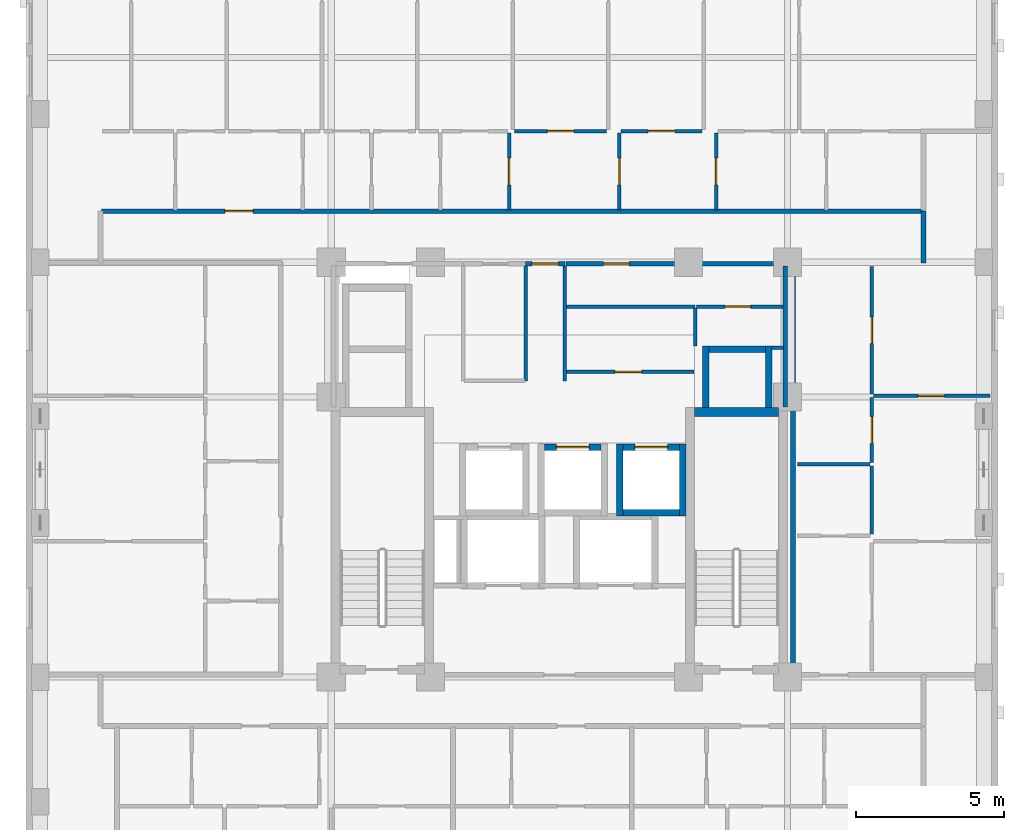
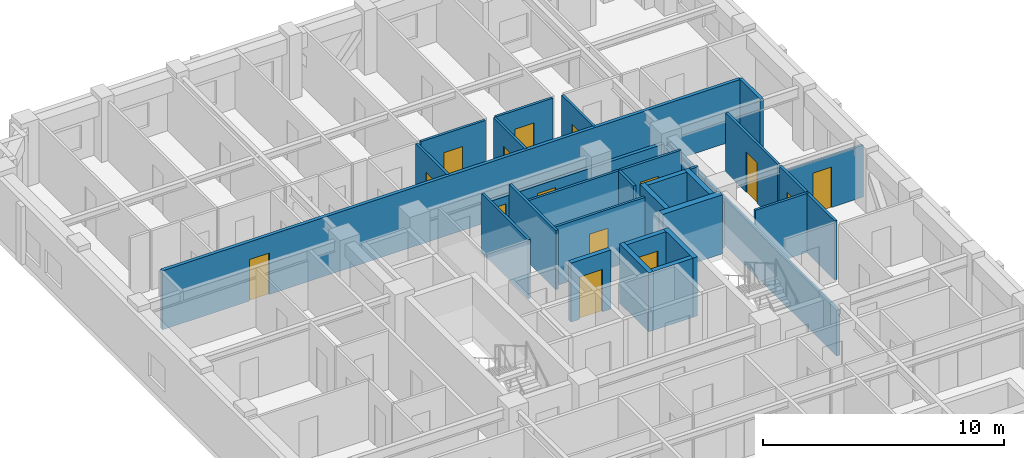
# One storey, part 6 of 11: 32 walls, 15 doors, 15 openings.
"""IFC4 building model written with IfcOpenShell, lengths in metres."""

from ifc_helpers import new_model, si_unit, derived_unit, direction, frame, frame_2d, origin, place, context, subcontext, project, spatial, rectangle, extrude, material, layer, layer_set, type_object, element, fill, save


model = new_model("IFC4")

# Units and contexts
model_context = context("Model", 3, precision=1e-05, world=origin(), true_north=direction((0.0, 1.0)))
body_context = subcontext(model_context, "Body", "Model", "MODEL_VIEW")
ifc_project = project(units=[si_unit("LENGTHUNIT", "METRE"), si_unit("AREAUNIT", "SQUARE_METRE"), si_unit("VOLUMEUNIT", "CUBIC_METRE"), si_unit("PLANEANGLEUNIT", "RADIAN"), si_unit("MASSUNIT", "GRAM", prefix="KILO"), derived_unit("THERMALTRANSMITTANCEUNIT", [(si_unit("MASSUNIT", "GRAM", prefix="KILO"), 1), (si_unit("TIMEUNIT", "SECOND"), -3), (si_unit("THERMODYNAMICTEMPERATUREUNIT", "KELVIN"), -1)])], contexts=[model_context])

# Site, building, storey
site_placement = place(None, origin())
site = spatial("IfcSite", under=ifc_project, at=site_placement, CompositionType="ELEMENT")
building_placement = place(site_placement, origin())
building = spatial("IfcBuilding", under=site, at=building_placement, Name="Korrvale Station Residences", CompositionType="ELEMENT")
storey_placement = place(building_placement, frame((0.0, 0.0, 156.89990234375)))
storey = spatial("IfcBuildingStorey", under=building, at=storey_placement, Name="L45", CompositionType="ELEMENT", Elevation=156.89990234375)

# Walls
ifc_material_1 = material(Name="Concrete C60/75", Category="concrete")
ifc_layer_1 = layer(ifc_material_1, 0.300048828125, Name="Concrete C60/75")
ifc_layer_set_1 = layer_set([ifc_layer_1], Name="Concrete C60/75")
wall_type_1 = type_object("IfcWallType", Name="WAL-CORE-300-C60", PredefinedType="SHEAR", material=ifc_layer_set_1)
wall_1_placement = place(storey_placement, frame((30.050048828125, 23.949951171875, 0.0), z_axis=(0.0, 0.0, 1.0), x_axis=(1.0, 0.0, 0.0)))
element("IfcWall", 1, at=wall_1_placement, inside=storey, type_object=wall_type_1, Name="L45 ST-2 Core Shear Wall North", PredefinedType="SHEAR", context=body_context, shape_type="SweptSolid", body=[
    extrude(rectangle(XDim=2.849853515625, YDim=0.300048828125, at=frame_2d((1.4248046875, 0.0))), origin(), (0.0, 0.0, 1.0), 2.989990234375),
])
ifc_material_2 = material(Name="Acoustic steel-stud gypsum board partition", Category="steel")
ifc_layer_2 = layer(ifc_material_2, 0.1201171875, Name="Acoustic steel-stud gypsum board partition")
ifc_layer_set_2 = layer_set([ifc_layer_2], Name="Acoustic steel-stud gypsum board partition")
wall_type_2 = type_object("IfcWallType", Name="WAL-PART-125", PredefinedType="PARTITIONING", material=ifc_layer_set_2)
for number, where, z_axis, x_axis, name in (
    (2, (24.360107421875, 25.0, 0.0), (0.0, 0.0, 1.0), (0.0, 1.0, 0.0), "L45 Core Partition CW-PSG-W"),
    (3, (25.679931640625, 25.0, 0.0), (0.0, 0.0, 1.0), (0.0, 1.0, 0.0), "L45 Core Partition CW-PSG-E"),
):
    element("IfcWall", number, at=place(storey_placement, frame(where, z_axis=z_axis, x_axis=x_axis)), inside=storey, type_object=wall_type_2, Name=name, PredefinedType="PARTITIONING", context=body_context, shape_type="SweptSolid", body=[
        extrude(rectangle(XDim=3.8701171875, YDim=0.1201171875, at=frame_2d((1.93505859375, 0.0))), origin(), (0.0, 0.0, 1.0), 2.989990234375),
    ])
wall_2_placement = place(storey_placement, frame((30.080078125, 26.179931640625, 0.0), z_axis=(0.0, 0.0, 1.0), x_axis=(0.0, 1.0, 0.0)))
element("IfcWall", 4, at=wall_2_placement, inside=storey, type_object=wall_type_2, Name="L45 Core Partition CW-CS-W", PredefinedType="PARTITIONING", context=body_context, shape_type="SweptSolid", body=[
    extrude(rectangle(XDim=1.280029296875, YDim=0.1201171875, at=frame_2d((0.64013671875, 0.0))), origin(), (0.0, 0.0, 1.0), 2.989990234375),
])
wall_3_placement = place(storey_placement, frame((32.679931640625, 26.1201171875, 0.0), z_axis=(0.0, 0.0, 1.0), x_axis=(1.0, 0.0, 0.0)))
element("IfcWall", 5, at=wall_3_placement, inside=storey, type_object=wall_type_2, Name="L45 Core Partition CW-CS-S", PredefinedType="PARTITIONING", context=body_context, shape_type="SweptSolid", body=[
    extrude(rectangle(XDim=0.380126953125, YDim=0.1201171875, at=frame_2d((0.18994140625, 0.0))), origin(), (0.0, 0.0, 1.0), 2.989990234375),
])

# Wall, opening, door
wall_4_placement = place(storey_placement, frame((30.1201171875, 27.5, 0.0), z_axis=(0.0, 0.0, 1.0), x_axis=(1.0, 0.0, 0.0)))
wall_4 = element("IfcWall", 6, at=wall_4_placement, inside=storey, type_object=wall_type_2, Name="L45 Core Partition CW-CS-H", PredefinedType="PARTITIONING", context=body_context, shape_type="SweptSolid", body=[
    extrude(rectangle(XDim=2.919921875, YDim=0.1201171875, at=frame_2d((1.4599609375, 0.0))), origin(), (0.0, 0.0, 1.0), 2.989990234375),
])
opening_1_placement = place(wall_4_placement, frame((0.969970703125, 0.0, 0.0)))
opening_1 = element("IfcOpeningElement", 7, at=opening_1_placement, cuts=wall_4, Name="Opening DB-860", PredefinedType="OPENING", context=body_context, shape_type="SweptSolid", body=[
    extrude(rectangle(XDim=0.860107421875, YDim=2.050048828125, at=frame_2d((0.43017578125, 1.02490234375))), frame((0.0, 0.070068359375, 0.0), z_axis=(0.0, -1.0, 0.0), x_axis=(1.0, 0.0, 0.0)), (0.0, 0.0, 1.0), 0.14013671875),
])
ifc_material_3 = material(Name="Moisture-resistant solid-core bathroom door", Category="timber")
door_type_1 = type_object("IfcDoorType", Name="DR-BATH-860", OperationType="NOTDEFINED", PredefinedType="DOOR", material=ifc_material_3)
door_1_placement = place(opening_1_placement, origin())
door_1 = element("IfcDoor", 8, at=door_1_placement, inside=storey, type_object=door_type_1, Name="L45 Mail Sorting Inner Door", OperationType="SINGLE_SWING_LEFT", OverallHeight=2.050048828125, OverallWidth=0.860107421875, PredefinedType="DOOR", context=body_context, shape_type="SweptSolid", body=[
    extrude(rectangle(XDim=0.860107421875, YDim=2.050048828125, at=frame_2d((0.43017578125, 1.02490234375))), frame((0.0, 0.02490234375, 0.0), z_axis=(0.0, -1.0, 0.0), x_axis=(1.0, 0.0, 0.0)), (0.0, 0.0, 1.0), 0.050048828125),
])
fill(opening_1, door_1)

# Wall
wall_5_placement = place(storey_placement, frame((25.719970703125, 27.5, 0.0), z_axis=(0.0, 0.0, 1.0), x_axis=(1.0, 0.0, 0.0)))
element("IfcWall", 9, at=wall_5_placement, inside=storey, type_object=wall_type_2, Name="L45 Core Partition CW-FPLE-H", PredefinedType="PARTITIONING", context=body_context, shape_type="SweptSolid", body=[
    extrude(rectangle(XDim=4.360107421875, YDim=0.1201171875, at=frame_2d((2.18017578125, 0.0))), origin(), (0.0, 0.0, 1.0), 2.989990234375),
])

# Wall, opening, door
wall_6_placement = place(storey_placement, frame((25.719970703125, 25.300048828125, 0.0), z_axis=(0.0, 0.0, 1.0), x_axis=(1.0, 0.0, 0.0)))
wall_6 = element("IfcWall", 10, at=wall_6_placement, inside=storey, type_object=wall_type_2, Name="L45 Core Partition CW-FPLE-S", PredefinedType="PARTITIONING", context=body_context, shape_type="SweptSolid", body=[
    extrude(rectangle(XDim=4.320068359375, YDim=0.1201171875, at=frame_2d((2.16015625, 0.0))), origin(), (0.0, 0.0, 1.0), 2.989990234375),
])
opening_2_placement = place(wall_6_placement, frame((1.64990234375, 0.0, 0.0)))
opening_2 = element("IfcOpeningElement", 11, at=opening_2_placement, cuts=wall_6, Name="Opening DI-900", PredefinedType="OPENING", context=body_context, shape_type="SweptSolid", body=[
    extrude(rectangle(XDim=0.89990234375, YDim=2.050048828125, at=frame_2d((0.449951171875, 1.02490234375))), frame((0.0, 0.070068359375, 0.0), z_axis=(0.0, -1.0, 0.0), x_axis=(1.0, 0.0, 0.0)), (0.0, 0.0, 1.0), 0.14013671875),
])
ifc_material_4 = material(Name="Painted solid-core timber interior room door", Category="wood")
door_type_2 = type_object("IfcDoorType", Name="DR-INT-900", OperationType="NOTDEFINED", PredefinedType="DOOR", material=ifc_material_4)
door_2_placement = place(opening_2_placement, origin())
door_2 = element("IfcDoor", 12, at=door_2_placement, inside=storey, type_object=door_type_2, Name="L45 Housekeeping Linen Door", OperationType="SINGLE_SWING_LEFT", OverallHeight=2.050048828125, OverallWidth=0.89990234375, PredefinedType="DOOR", context=body_context, shape_type="SweptSolid", body=[
    extrude(rectangle(XDim=0.89990234375, YDim=2.050048828125, at=frame_2d((0.449951171875, 1.02490234375))), frame((0.0, 0.02490234375, 0.0), z_axis=(0.0, -1.0, 0.0), x_axis=(1.0, 0.0, 0.0)), (0.0, 0.0, 1.0), 0.050048828125),
])
fill(opening_2, door_2)

wall_7_placement = place(storey_placement, frame((23.800048828125, 30.760009765625, 0.0), z_axis=(0.0, 0.0, 1.0), x_axis=(0.0, 1.0, 0.0)))
wall_7 = element("IfcWall", 13, at=wall_7_placement, inside=storey, type_object=wall_type_2, Name="L45 Suite Partition U04-V45", PredefinedType="PARTITIONING", context=body_context, shape_type="SweptSolid", body=[
    extrude(rectangle(XDim=2.60009765625, YDim=0.1201171875, at=frame_2d((1.300048828125, 0.0))), origin(), (0.0, 0.0, 1.0), 2.989990234375),
])
opening_3_placement = place(wall_7_placement, frame((0.85009765625, 0.0, 0.0)))
opening_3 = element("IfcOpeningElement", 14, at=opening_3_placement, cuts=wall_7, Name="Opening DI-900", PredefinedType="OPENING", context=body_context, shape_type="SweptSolid", body=[
    extrude(rectangle(XDim=0.89990234375, YDim=2.050048828125, at=frame_2d((0.449951171875, 1.02490234375))), frame((0.0, 0.070068359375, 0.0), z_axis=(0.0, -1.0, 0.0), x_axis=(1.0, 0.0, 0.0)), (0.0, 0.0, 1.0), 0.14013671875),
])
door_3_placement = place(opening_3_placement, origin())
door_3 = element("IfcDoor", 15, at=door_3_placement, inside=storey, type_object=door_type_2, Name="L45 Studio Apartment L45-U04 Wardrobe Storage Room Door", OperationType="SINGLE_SWING_RIGHT", OverallHeight=2.050048828125, OverallWidth=0.89990234375, PredefinedType="DOOR", context=body_context, shape_type="SweptSolid", body=[
    extrude(rectangle(XDim=0.89990234375, YDim=2.050048828125, at=frame_2d((0.449951171875, 1.02490234375))), frame((0.0, 0.02490234375, 0.0), z_axis=(0.0, -1.0, 0.0), x_axis=(1.0, 0.0, 0.0)), (0.0, 0.0, 1.0), 0.050048828125),
])
fill(opening_3, door_3)

wall_8_placement = place(storey_placement, frame((27.52001953125, 30.760009765625, 0.0), z_axis=(0.0, 0.0, 1.0), x_axis=(0.0, 1.0, 0.0)))
wall_8 = element("IfcWall", 16, at=wall_8_placement, inside=storey, type_object=wall_type_2, Name="L45 Suite Partition U04-V56", PredefinedType="PARTITIONING", context=body_context, shape_type="SweptSolid", body=[
    extrude(rectangle(XDim=2.60009765625, YDim=0.1201171875, at=frame_2d((1.300048828125, 0.0))), origin(), (0.0, 0.0, 1.0), 2.989990234375),
])
opening_4_placement = place(wall_8_placement, frame((0.85009765625, 0.0, 0.0)))
opening_4 = element("IfcOpeningElement", 17, at=opening_4_placement, cuts=wall_8, Name="Opening DI-900", PredefinedType="OPENING", context=body_context, shape_type="SweptSolid", body=[
    extrude(rectangle(XDim=0.89990234375, YDim=2.050048828125, at=frame_2d((0.449951171875, 1.02490234375))), frame((0.0, 0.070068359375, 0.0), z_axis=(0.0, -1.0, 0.0), x_axis=(1.0, 0.0, 0.0)), (0.0, 0.0, 1.0), 0.14013671875),
])
door_4_placement = place(opening_4_placement, origin())
door_4 = element("IfcDoor", 18, at=door_4_placement, inside=storey, type_object=door_type_2, Name="L45 Studio Apartment L45-U04 Utility and Laundry Room Door", OperationType="SINGLE_SWING_RIGHT", OverallHeight=2.050048828125, OverallWidth=0.89990234375, PredefinedType="DOOR", context=body_context, shape_type="SweptSolid", body=[
    extrude(rectangle(XDim=0.89990234375, YDim=2.050048828125, at=frame_2d((0.449951171875, 1.02490234375))), frame((0.0, 0.02490234375, 0.0), z_axis=(0.0, -1.0, 0.0), x_axis=(1.0, 0.0, 0.0)), (0.0, 0.0, 1.0), 0.050048828125),
])
fill(opening_4, door_4)

wall_9_placement = place(storey_placement, frame((23.989990234375, 33.419921875, 0.0), z_axis=(0.0, 0.0, 1.0), x_axis=(1.0, 0.0, 0.0)))
wall_9 = element("IfcWall", 19, at=wall_9_placement, inside=storey, type_object=wall_type_2, Name="L45 Suite Partition U04-H514", PredefinedType="PARTITIONING", context=body_context, shape_type="SweptSolid", body=[
    extrude(rectangle(XDim=3.10009765625, YDim=0.1201171875, at=frame_2d((1.550048828125, 0.0))), origin(), (0.0, 0.0, 1.0), 2.989990234375),
])
opening_5_placement = place(wall_9_placement, frame((1.10009765625, 0.0, 0.0)))
opening_5 = element("IfcOpeningElement", 20, at=opening_5_placement, cuts=wall_9, Name="Opening DI-900", PredefinedType="OPENING", context=body_context, shape_type="SweptSolid", body=[
    extrude(rectangle(XDim=0.89990234375, YDim=2.050048828125, at=frame_2d((0.449951171875, 1.02490234375))), frame((0.0, 0.070068359375, 0.0), z_axis=(0.0, -1.0, 0.0), x_axis=(1.0, 0.0, 0.0)), (0.0, 0.0, 1.0), 0.14013671875),
])
door_5_placement = place(opening_5_placement, origin())
door_5 = element("IfcDoor", 21, at=door_5_placement, inside=storey, type_object=door_type_2, Name="L45 Studio Apartment L45-U04 Utility and Laundry Room Door", OperationType="SINGLE_SWING_LEFT", OverallHeight=2.050048828125, OverallWidth=0.89990234375, PredefinedType="DOOR", context=body_context, shape_type="SweptSolid", body=[
    extrude(rectangle(XDim=0.89990234375, YDim=2.050048828125, at=frame_2d((0.449951171875, 1.02490234375))), frame((0.0, 0.02490234375, 0.0), z_axis=(0.0, -1.0, 0.0), x_axis=(1.0, 0.0, 0.0)), (0.0, 0.0, 1.0), 0.050048828125),
])
fill(opening_5, door_5)

wall_10_placement = place(storey_placement, frame((30.7900390625, 30.760009765625, 0.0), z_axis=(0.0, 0.0, 1.0), x_axis=(0.0, 1.0, 0.0)))
wall_10 = element("IfcWall", 22, at=wall_10_placement, inside=storey, type_object=wall_type_2, Name="L45 Suite Partition U04-V67", PredefinedType="PARTITIONING", context=body_context, shape_type="SweptSolid", body=[
    extrude(rectangle(XDim=2.60009765625, YDim=0.1201171875, at=frame_2d((1.300048828125, 0.0))), origin(), (0.0, 0.0, 1.0), 2.989990234375),
])
opening_6_placement = place(wall_10_placement, frame((0.85009765625, 0.0, 0.0)))
opening_6 = element("IfcOpeningElement", 23, at=opening_6_placement, cuts=wall_10, Name="Opening DI-900", PredefinedType="OPENING", context=body_context, shape_type="SweptSolid", body=[
    extrude(rectangle(XDim=0.89990234375, YDim=2.050048828125, at=frame_2d((0.449951171875, 1.02490234375))), frame((0.0, 0.070068359375, 0.0), z_axis=(0.0, -1.0, 0.0), x_axis=(1.0, 0.0, 0.0)), (0.0, 0.0, 1.0), 0.14013671875),
])
door_6_placement = place(opening_6_placement, origin())
door_6 = element("IfcDoor", 24, at=door_6_placement, inside=storey, type_object=door_type_2, Name="L45 Studio Apartment L45-U04 Storage Closet 2 Door", OperationType="SINGLE_SWING_RIGHT", OverallHeight=2.050048828125, OverallWidth=0.89990234375, PredefinedType="DOOR", context=body_context, shape_type="SweptSolid", body=[
    extrude(rectangle(XDim=0.89990234375, YDim=2.050048828125, at=frame_2d((0.449951171875, 1.02490234375))), frame((0.0, 0.02490234375, 0.0), z_axis=(0.0, -1.0, 0.0), x_axis=(1.0, 0.0, 0.0)), (0.0, 0.0, 1.0), 0.050048828125),
])
fill(opening_6, door_6)

wall_11_placement = place(storey_placement, frame((27.580078125, 33.419921875, 0.0), z_axis=(0.0, 0.0, 1.0), x_axis=(1.0, 0.0, 0.0)))
wall_11 = element("IfcWall", 25, at=wall_11_placement, inside=storey, type_object=wall_type_2, Name="L45 Suite Partition U04-H615", PredefinedType="PARTITIONING", context=body_context, shape_type="SweptSolid", body=[
    extrude(rectangle(XDim=2.72998046875, YDim=0.1201171875, at=frame_2d((1.364990234375, 0.0))), origin(), (0.0, 0.0, 1.0), 2.989990234375),
])
opening_7_placement = place(wall_11_placement, frame((0.9150390625, 0.0, 0.0)))
opening_7 = element("IfcOpeningElement", 26, at=opening_7_placement, cuts=wall_11, Name="Opening DI-900", PredefinedType="OPENING", context=body_context, shape_type="SweptSolid", body=[
    extrude(rectangle(XDim=0.89990234375, YDim=2.050048828125, at=frame_2d((0.449951171875, 1.02490234375))), frame((0.0, 0.070068359375, 0.0), z_axis=(0.0, -1.0, 0.0), x_axis=(1.0, 0.0, 0.0)), (0.0, 0.0, 1.0), 0.14013671875),
])
door_7_placement = place(opening_7_placement, origin())
door_7 = element("IfcDoor", 27, at=door_7_placement, inside=storey, type_object=door_type_2, Name="L45 Studio Apartment L45-U04 Storage Closet 2 Door", OperationType="SINGLE_SWING_LEFT", OverallHeight=2.050048828125, OverallWidth=0.89990234375, PredefinedType="DOOR", context=body_context, shape_type="SweptSolid", body=[
    extrude(rectangle(XDim=0.89990234375, YDim=2.050048828125, at=frame_2d((0.449951171875, 1.02490234375))), frame((0.0, 0.02490234375, 0.0), z_axis=(0.0, -1.0, 0.0), x_axis=(1.0, 0.0, 0.0)), (0.0, 0.0, 1.0), 0.050048828125),
])
fill(opening_7, door_7)

# Wall
wall_12_placement = place(storey_placement, frame((33.530029296875, 22.18994140625, 0.0), z_axis=(0.0, 0.0, 1.0), x_axis=(1.0, 0.0, 0.0)))
element("IfcWall", 28, at=wall_12_placement, inside=storey, type_object=wall_type_2, Name="L45 Suite Partition U06-H01", PredefinedType="PARTITIONING", context=body_context, shape_type="SweptSolid", body=[
    extrude(rectangle(XDim=2.449951171875, YDim=0.1201171875, at=frame_2d((1.22509765625, 0.0))), origin(), (0.0, 0.0, 1.0), 2.989990234375),
])

# Wall, opening, door
wall_13_placement = place(storey_placement, frame((36.0400390625, 22.25, 0.0), z_axis=(0.0, 0.0, 1.0), x_axis=(0.0, 1.0, 0.0)))
wall_13 = element("IfcWall", 29, at=wall_13_placement, inside=storey, type_object=wall_type_2, Name="L45 Suite Partition U06-V04", PredefinedType="PARTITIONING", context=body_context, shape_type="SweptSolid", body=[
    extrude(rectangle(XDim=2.181884765625, YDim=0.1201171875, at=frame_2d((1.0908203125, 0.0))), origin(), (0.0, 0.0, 1.0), 2.989990234375),
])
opening_8_placement = place(wall_13_placement, frame((0.64111328125, 0.0, 0.0)))
opening_8 = element("IfcOpeningElement", 30, at=opening_8_placement, cuts=wall_13, Name="Opening DI-900", PredefinedType="OPENING", context=body_context, shape_type="SweptSolid", body=[
    extrude(rectangle(XDim=0.89990234375, YDim=2.050048828125, at=frame_2d((0.449951171875, 1.02490234375))), frame((0.0, 0.070068359375, 0.0), z_axis=(0.0, -1.0, 0.0), x_axis=(1.0, 0.0, 0.0)), (0.0, 0.0, 1.0), 0.14013671875),
])
door_8_placement = place(opening_8_placement, origin())
door_8 = element("IfcDoor", 31, at=door_8_placement, inside=storey, type_object=door_type_2, Name="L45 Apartment 2BR L45-U06 Wardrobe Storage Room Door", OperationType="SINGLE_SWING_RIGHT", OverallHeight=2.050048828125, OverallWidth=0.89990234375, PredefinedType="DOOR", context=body_context, shape_type="SweptSolid", body=[
    extrude(rectangle(XDim=0.89990234375, YDim=2.050048828125, at=frame_2d((0.449951171875, 1.02490234375))), frame((0.0, 0.02490234375, 0.0), z_axis=(0.0, -1.0, 0.0), x_axis=(1.0, 0.0, 0.0)), (0.0, 0.0, 1.0), 0.050048828125),
])
fill(opening_8, door_8)

wall_14_placement = place(storey_placement, frame((36.0400390625, 24.552001953125, 0.0), z_axis=(0.0, 0.0, 1.0), x_axis=(0.0, 1.0, 0.0)))
wall_14 = element("IfcWall", 32, at=wall_14_placement, inside=storey, type_object=wall_type_2, Name="L45 Suite Partition U06-V05", PredefinedType="PARTITIONING", context=body_context, shape_type="SweptSolid", body=[
    extrude(rectangle(XDim=4.30810546875, YDim=0.1201171875, at=frame_2d((2.154052734375, 0.0))), origin(), (0.0, 0.0, 1.0), 2.989990234375),
])
opening_9_placement = place(wall_14_placement, frame((1.7041015625, 0.0, 0.0)))
opening_9 = element("IfcOpeningElement", 33, at=opening_9_placement, cuts=wall_14, Name="Opening DI-900", PredefinedType="OPENING", context=body_context, shape_type="SweptSolid", body=[
    extrude(rectangle(XDim=0.89990234375, YDim=2.050048828125, at=frame_2d((0.449951171875, 1.02490234375))), frame((0.0, 0.070068359375, 0.0), z_axis=(0.0, -1.0, 0.0), x_axis=(1.0, 0.0, 0.0)), (0.0, 0.0, 1.0), 0.14013671875),
])
door_9_placement = place(opening_9_placement, origin())
door_9 = element("IfcDoor", 34, at=door_9_placement, inside=storey, type_object=door_type_2, Name="L45 Apartment 2BR L45-U06 Wardrobe Storage Room Door", OperationType="SINGLE_SWING_LEFT", OverallHeight=2.050048828125, OverallWidth=0.89990234375, PredefinedType="DOOR", context=body_context, shape_type="SweptSolid", body=[
    extrude(rectangle(XDim=0.89990234375, YDim=2.050048828125, at=frame_2d((0.449951171875, 1.02490234375))), frame((0.0, 0.02490234375, 0.0), z_axis=(0.0, -1.0, 0.0), x_axis=(1.0, 0.0, 0.0)), (0.0, 0.0, 1.0), 0.050048828125),
])
fill(opening_9, door_9)

# Wall
wall_15_placement = place(storey_placement, frame((36.0400390625, 19.830078125, 0.0), z_axis=(0.0, 0.0, 1.0), x_axis=(0.0, 1.0, 0.0)))
element("IfcWall", 35, at=wall_15_placement, inside=storey, type_object=wall_type_2, Name="L45 Suite Partition U06-V14", PredefinedType="PARTITIONING", context=body_context, shape_type="SweptSolid", body=[
    extrude(rectangle(XDim=2.2998046875, YDim=0.1201171875, at=frame_2d((1.14990234375, 0.0))), origin(), (0.0, 0.0, 1.0), 2.989990234375),
])

# Wall, opening, door
wall_16_placement = place(storey_placement, frame((36.10009765625, 24.491943359375, 0.0), z_axis=(0.0, 0.0, 1.0), x_axis=(1.0, 0.0, 0.0)))
wall_16 = element("IfcWall", 36, at=wall_16_placement, inside=storey, type_object=wall_type_2, Name="L45 Suite Partition U06-H45", PredefinedType="PARTITIONING", context=body_context, shape_type="SweptSolid", body=[
    extrude(rectangle(XDim=3.919921875, YDim=0.1201171875, at=frame_2d((1.9599609375, 0.0))), origin(), (0.0, 0.0, 1.0), 2.62109375),
])
opening_10_placement = place(wall_16_placement, frame((1.4951171875, 0.0, 0.0)))
opening_10 = element("IfcOpeningElement", 37, at=opening_10_placement, cuts=wall_16, Name="Opening DI-900", PredefinedType="OPENING", context=body_context, shape_type="SweptSolid", body=[
    extrude(rectangle(XDim=0.89990234375, YDim=2.050048828125, at=frame_2d((0.449951171875, 1.02490234375))), frame((0.0, 0.070068359375, 0.0), z_axis=(0.0, -1.0, 0.0), x_axis=(1.0, 0.0, 0.0)), (0.0, 0.0, 1.0), 0.14013671875),
])
door_10_placement = place(opening_10_placement, origin())
door_10 = element("IfcDoor", 38, at=door_10_placement, inside=storey, type_object=door_type_2, Name="L45 Apartment 2BR L45-U06 Living and Dining Room Door", OperationType="SINGLE_SWING_LEFT", OverallHeight=2.050048828125, OverallWidth=0.89990234375, PredefinedType="DOOR", context=body_context, shape_type="SweptSolid", body=[
    extrude(rectangle(XDim=0.89990234375, YDim=2.050048828125, at=frame_2d((0.449951171875, 1.02490234375))), frame((0.0, 0.02490234375, 0.0), z_axis=(0.0, -1.0, 0.0), x_axis=(1.0, 0.0, 0.0)), (0.0, 0.0, 1.0), 0.050048828125),
])
fill(opening_10, door_10)

# Wall
ifc_material_5 = material(Name="Fire-rated twin-stud gypsum and mineral wool shaftwall assembly", Category="gypsum")
ifc_layer_3 = layer(ifc_material_5, 0.159912109375, Name="Fire-rated twin-stud gypsum and mineral wool shaftwall assembly")
ifc_layer_set_3 = layer_set([ifc_layer_3], Name="Fire-rated twin-stud gypsum and mineral wool shaftwall assembly")
wall_type_3 = type_object("IfcWallType", Name="WAL-PART-200", PredefinedType="PARTITIONING", material=ifc_layer_set_3)
wall_17_placement = place(storey_placement, frame((33.1201171875, 24.1201171875, 0.0), z_axis=(0.0, 0.0, 1.0), x_axis=(0.0, 1.0, 0.0)))
element("IfcWall", 39, at=wall_17_placement, inside=storey, type_object=wall_type_3, Name="L45 Core Partition CW-E-N", PredefinedType="PARTITIONING", context=body_context, shape_type="SweptSolid", body=[
    extrude(rectangle(XDim=4.759765625, YDim=0.159912109375, at=frame_2d((2.3798828125, 0.0))), origin(), (0.0, 0.0, 1.0), 2.3251953125),
])

# Wall, opening, door
wall_18_placement = place(storey_placement, frame((24.360107421875, 28.949951171875, 0.0), z_axis=(0.0, 0.0, 1.0), x_axis=(1.0, 0.0, 0.0)))
wall_18 = element("IfcWall", 40, at=wall_18_placement, inside=storey, type_object=wall_type_3, Name="L45 Core Partition CW-LLOB-N", PredefinedType="PARTITIONING", context=body_context, shape_type="SweptSolid", body=[
    extrude(rectangle(XDim=1.31982421875, YDim=0.159912109375, at=frame_2d((0.659912109375, 0.0))), origin(), (0.0, 0.0, 1.0), 2.442138671875),
])
opening_11_placement = place(wall_18_placement, frame((0.2099609375, 0.0, 0.0)))
opening_11 = element("IfcOpeningElement", 41, at=opening_11_placement, cuts=wall_18, Name="Opening DI-900", PredefinedType="OPENING", context=body_context, shape_type="SweptSolid", body=[
    extrude(rectangle(XDim=0.89990234375, YDim=2.050048828125, at=frame_2d((0.449951171875, 1.02490234375))), frame((0.0, 0.08984375, 0.0), z_axis=(0.0, -1.0, 0.0), x_axis=(1.0, 0.0, 0.0)), (0.0, 0.0, 1.0), 0.179931640625),
])
door_11_placement = place(opening_11_placement, origin())
door_11 = element("IfcDoor", 42, at=door_11_placement, inside=storey, type_object=door_type_2, Name="L45 Central Hallway North Passage Door", OperationType="SINGLE_SWING_LEFT", OverallHeight=2.050048828125, OverallWidth=0.89990234375, PredefinedType="DOOR", context=body_context, shape_type="SweptSolid", body=[
    extrude(rectangle(XDim=0.89990234375, YDim=2.050048828125, at=frame_2d((0.449951171875, 1.02490234375))), frame((0.0, 0.02490234375, 0.0), z_axis=(0.0, -1.0, 0.0), x_axis=(1.0, 0.0, 0.0)), (0.0, 0.0, 1.0), 0.050048828125),
])
fill(opening_11, door_11)

wall_19_placement = place(storey_placement, frame((25.719970703125, 28.949951171875, 0.0), z_axis=(0.0, 0.0, 1.0), x_axis=(1.0, 0.0, 0.0)))
wall_19 = element("IfcWall", 43, at=wall_19_placement, inside=storey, type_object=wall_type_3, Name="L45 Core Partition CW-FPLE-N", PredefinedType="PARTITIONING", context=body_context, shape_type="SweptSolid", body=[
    extrude(rectangle(XDim=7.320068359375, YDim=0.159912109375, at=frame_2d((3.66015625, 0.0))), origin(), (0.0, 0.0, 1.0), 2.442138671875),
])
opening_12_placement = place(wall_19_placement, frame((1.27001953125, 0.0, 0.0)))
opening_12 = element("IfcOpeningElement", 44, at=opening_12_placement, cuts=wall_19, Name="Opening DB-860", PredefinedType="OPENING", context=body_context, shape_type="SweptSolid", body=[
    extrude(rectangle(XDim=0.860107421875, YDim=2.050048828125, at=frame_2d((0.43017578125, 1.02490234375))), frame((0.0, 0.08984375, 0.0), z_axis=(0.0, -1.0, 0.0), x_axis=(1.0, 0.0, 0.0)), (0.0, 0.0, 1.0), 0.179931640625),
])
door_12_placement = place(opening_12_placement, origin())
door_12 = element("IfcDoor", 45, at=door_12_placement, inside=storey, type_object=door_type_1, Name="L45 Luggage Pantry Door", OperationType="SINGLE_SWING_RIGHT", OverallHeight=2.050048828125, OverallWidth=0.860107421875, PredefinedType="DOOR", context=body_context, shape_type="SweptSolid", body=[
    extrude(rectangle(XDim=0.860107421875, YDim=2.050048828125, at=frame_2d((0.43017578125, 1.02490234375))), frame((0.0, 0.02490234375, 0.0), z_axis=(0.0, -1.0, 0.0), x_axis=(1.0, 0.0, 0.0)), (0.0, 0.0, 1.0), 0.050048828125),
])
fill(opening_12, door_12)

# Wall
wall_20_placement = place(storey_placement, frame((37.780029296875, 28.97998046875, 0.0), z_axis=(0.0, 0.0, 1.0), x_axis=(0.0, 1.0, 0.0)))
element("IfcWall", 46, at=wall_20_placement, inside=storey, type_object=wall_type_3, Name="L45 Corridor North East Cap", PredefinedType="PARTITIONING", context=body_context, shape_type="SweptSolid", body=[
    extrude(rectangle(XDim=1.739990234375, YDim=0.159912109375, at=frame_2d((0.8701171875, 0.0))), origin(), (0.0, 0.0, 1.0), 2.989990234375),
])

# Wall, opening, door
wall_21_placement = place(storey_placement, frame((10.050048828125, 30.719970703125, 0.0), z_axis=(0.0, 0.0, 1.0), x_axis=(1.0, 0.0, 0.0)))
wall_21 = element("IfcWall", 47, at=wall_21_placement, inside=storey, type_object=wall_type_3, Name="L45 Rated Corridor Wall N", PredefinedType="PARTITIONING", context=body_context, shape_type="SweptSolid", body=[
    extrude(rectangle(XDim=27.699951171875, YDim=0.159912109375, at=frame_2d((13.85009765625, 0.0))), origin(), (0.0, 0.0, 1.0), 2.989990234375),
])
opening_13_placement = place(wall_21_placement, frame((4.1650390625, 0.0, 0.0)))
opening_13 = element("IfcOpeningElement", 48, at=opening_13_placement, cuts=wall_21, Name="Opening UD-950", PredefinedType="OPENING", context=body_context, shape_type="SweptSolid", body=[
    extrude(rectangle(XDim=0.949951171875, YDim=2.10009765625, at=frame_2d((0.47509765625, 1.050048828125))), frame((0.0, 0.08984375, 0.0), z_axis=(0.0, -1.0, 0.0), x_axis=(1.0, 0.0, 0.0)), (0.0, 0.0, 1.0), 0.179931640625),
])
ifc_material_6 = material(Name="Solid-core acoustic oak apartment entrance door", Category="timber")
door_type_3 = type_object("IfcDoorType", Name="DR-UNIT-950", OperationType="NOTDEFINED", PredefinedType="DOOR", material=ifc_material_6)
door_13_placement = place(opening_13_placement, origin())
door_13 = element("IfcDoor", 49, at=door_13_placement, inside=storey, type_object=door_type_3, Name="L45 Apartment L45-U04 Entrance Door", OperationType="SINGLE_SWING_LEFT", OverallHeight=2.10009765625, OverallWidth=0.949951171875, PredefinedType="DOOR", context=body_context, shape_type="SweptSolid", body=[
    extrude(rectangle(XDim=0.949951171875, YDim=2.10009765625, at=frame_2d((0.47509765625, 1.050048828125))), frame((0.0, 0.02490234375, 0.0), z_axis=(0.0, -1.0, 0.0), x_axis=(1.0, 0.0, 0.0)), (0.0, 0.0, 1.0), 0.050048828125),
])
fill(opening_13, door_13)

# Wall
wall_22_placement = place(storey_placement, frame((33.3798828125, 15.02001953125, 0.0), z_axis=(0.0, 0.0, 1.0), x_axis=(0.0, 1.0, 0.0)))
element("IfcWall", 50, at=wall_22_placement, inside=storey, type_object=wall_type_3, Name="L45 Rated Corridor Wall E", PredefinedType="PARTITIONING", context=body_context, shape_type="SweptSolid", body=[
    extrude(rectangle(XDim=13.97998046875, YDim=0.159912109375, at=frame_2d((6.989990234375, 0.0))), origin(), (0.0, 0.0, 1.0), 2.3251953125),
])

# Wall, opening, door
ifc_layer_4 = layer(ifc_material_1, 0.219970703125, Name="Concrete C60/75")
ifc_layer_set_4 = layer_set([ifc_layer_4], Name="Concrete C60/75")
wall_type_4 = type_object("IfcWallType", Name="WAL-SHAFT-220-C60", PredefinedType="SHEAR", material=ifc_layer_set_4)
wall_23_placement = place(storey_placement, frame((25.0, 22.760009765625, 0.0), z_axis=(0.0, 0.0, 1.0), x_axis=(1.0, 0.0, 0.0)))
wall_23 = element("IfcWall", 51, at=wall_23_placement, inside=storey, type_object=wall_type_4, Name="L45 Elevator PM-2 Hoistway Wall North", PredefinedType="SHEAR", context=body_context, shape_type="SweptSolid", body=[
    extrude(rectangle(XDim=1.89990234375, YDim=0.219970703125, at=frame_2d((0.949951171875, 0.0))), origin(), (0.0, 0.0, 1.0), 2.989990234375),
])
opening_14_placement = place(wall_23_placement, frame((0.39990234375, 0.0, 0.0)))
opening_14 = element("IfcOpeningElement", 52, at=opening_14_placement, cuts=wall_23, Name="Opening LD-1100", PredefinedType="OPENING", context=body_context, shape_type="SweptSolid", body=[
    extrude(rectangle(XDim=1.10009765625, YDim=2.14990234375, at=frame_2d((0.550048828125, 1.074951171875))), frame((0.0, 0.1201171875, 0.0), z_axis=(0.0, -1.0, 0.0), x_axis=(1.0, 0.0, 0.0)), (0.0, 0.0, 1.0), 0.239990234375),
])
ifc_material_7 = material(Name="Brushed stainless-steel elevator landing sliding door", Category="steel")
door_type_4 = type_object("IfcDoorType", Name="DR-LIFT-1100", OperationType="SLIDING_TO_LEFT", PredefinedType="DOOR", material=ifc_material_7)
door_14_placement = place(opening_14_placement, origin())
door_14 = element("IfcDoor", 53, at=door_14_placement, inside=storey, type_object=door_type_4, Name="L45 Elevator PM-2 Sliding Landing Door", OperationType="SLIDING_TO_LEFT", OverallHeight=2.14990234375, OverallWidth=1.10009765625, PredefinedType="DOOR", context=body_context, shape_type="SweptSolid", body=[
    extrude(rectangle(XDim=1.10009765625, YDim=2.14990234375, at=frame_2d((0.550048828125, 1.074951171875))), frame((0.0, 0.02490234375, 0.0), z_axis=(0.0, -1.0, 0.0), x_axis=(1.0, 0.0, 0.0)), (0.0, 0.0, 1.0), 0.050048828125),
])
fill(opening_14, door_14)

# Wall
wall_24_placement = place(storey_placement, frame((27.64990234375, 20.5400390625, 0.0), z_axis=(0.0, 0.0, 1.0), x_axis=(1.0, 0.0, 0.0)))
element("IfcWall", 54, at=wall_24_placement, inside=storey, type_object=wall_type_4, Name="L45 Elevator PM-3 Hoistway Wall South", PredefinedType="SHEAR", context=body_context, shape_type="SweptSolid", body=[
    extrude(rectangle(XDim=1.900146484375, YDim=0.219970703125, at=frame_2d((0.9501953125, 0.0))), origin(), (0.0, 0.0, 1.0), 2.989990234375),
])

# Wall, opening, door
wall_25_placement = place(storey_placement, frame((27.64990234375, 22.760009765625, 0.0), z_axis=(0.0, 0.0, 1.0), x_axis=(1.0, 0.0, 0.0)))
wall_25 = element("IfcWall", 55, at=wall_25_placement, inside=storey, type_object=wall_type_4, Name="L45 Elevator PM-3 Hoistway Wall North", PredefinedType="SHEAR", context=body_context, shape_type="SweptSolid", body=[
    extrude(rectangle(XDim=1.900146484375, YDim=0.219970703125, at=frame_2d((0.9501953125, 0.0))), origin(), (0.0, 0.0, 1.0), 2.989990234375),
])
opening_15_placement = place(wall_25_placement, frame((0.39990234375, 0.0, 0.0)))
opening_15 = element("IfcOpeningElement", 56, at=opening_15_placement, cuts=wall_25, Name="Opening LD-1100", PredefinedType="OPENING", context=body_context, shape_type="SweptSolid", body=[
    extrude(rectangle(XDim=1.10009765625, YDim=2.14990234375, at=frame_2d((0.550048828125, 1.074951171875))), frame((0.0, 0.1201171875, 0.0), z_axis=(0.0, -1.0, 0.0), x_axis=(1.0, 0.0, 0.0)), (0.0, 0.0, 1.0), 0.239990234375),
])
door_15_placement = place(opening_15_placement, origin())
door_15 = element("IfcDoor", 57, at=door_15_placement, inside=storey, type_object=door_type_4, Name="L45 Elevator PM-3 Sliding Landing Door", OperationType="SLIDING_TO_LEFT", OverallHeight=2.14990234375, OverallWidth=1.10009765625, PredefinedType="DOOR", context=body_context, shape_type="SweptSolid", body=[
    extrude(rectangle(XDim=1.10009765625, YDim=2.14990234375, at=frame_2d((0.550048828125, 1.074951171875))), frame((0.0, 0.02490234375, 0.0), z_axis=(0.0, -1.0, 0.0), x_axis=(1.0, 0.0, 0.0)), (0.0, 0.0, 1.0), 0.050048828125),
])
fill(opening_15, door_15)

# Walls
for number, where, z_axis, x_axis, name in (
    (58, (27.5400390625, 20.429931640625, 0.0), (0.0, 0.0, 1.0), (0.0, 1.0, 0.0), "L45 Elevator PM-3 Hoistway Wall West"),
    (59, (29.659912109375, 20.429931640625, 0.0), (0.0, 0.0, 1.0), (0.0, 1.0, 0.0), "L45 Elevator PM-3 Hoistway Wall East"),
):
    element("IfcWall", number, at=place(storey_placement, frame(where, z_axis=z_axis, x_axis=x_axis)), inside=storey, type_object=wall_type_4, Name=name, PredefinedType="SHEAR", context=body_context, shape_type="SweptSolid", body=[
        extrude(rectangle(XDim=2.440185546875, YDim=0.219970703125, at=frame_2d((1.22021484375, 0.0))), origin(), (0.0, 0.0, 1.0), 2.989990234375),
    ])
wall_26_placement = place(storey_placement, frame((30.550048828125, 26.06005859375, 0.0), z_axis=(0.0, 0.0, 1.0), x_axis=(1.0, 0.0, 0.0)))
element("IfcWall", 60, at=wall_26_placement, inside=storey, type_object=wall_type_4, Name="L45 Elevator PH-3 Hoistway Wall North", PredefinedType="SHEAR", context=body_context, shape_type="SweptSolid", body=[
    extrude(rectangle(XDim=1.89990234375, YDim=0.219970703125, at=frame_2d((0.949951171875, 0.0))), origin(), (0.0, 0.0, 1.0), 2.989990234375),
])
for number, where, z_axis, x_axis, name in (
    (61, (30.43994140625, 24.10009765625, 0.0), (0.0, 0.0, 1.0), (0.0, 1.0, 0.0), "L45 Elevator PH-3 Hoistway Wall West"),
    (62, (32.56005859375, 24.10009765625, 0.0), (0.0, 0.0, 1.0), (0.0, 1.0, 0.0), "L45 Elevator PH-3 Hoistway Wall East"),
):
    element("IfcWall", number, at=place(storey_placement, frame(where, z_axis=z_axis, x_axis=x_axis)), inside=storey, type_object=wall_type_4, Name=name, PredefinedType="SHEAR", context=body_context, shape_type="SweptSolid", body=[
        extrude(rectangle(XDim=2.06982421875, YDim=0.219970703125, at=frame_2d((1.034912109375, 0.0))), origin(), (0.0, 0.0, 1.0), 2.989990234375),
    ])

save(model, "model.ifc")
